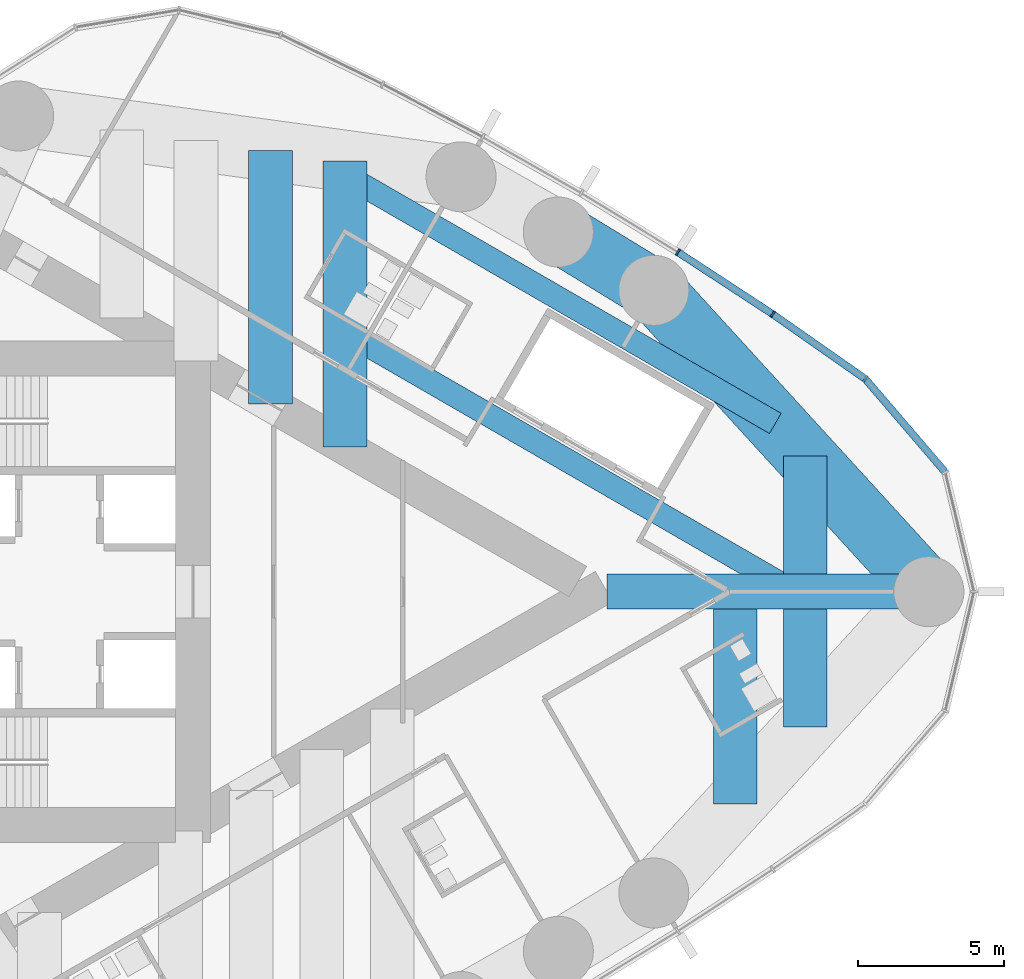
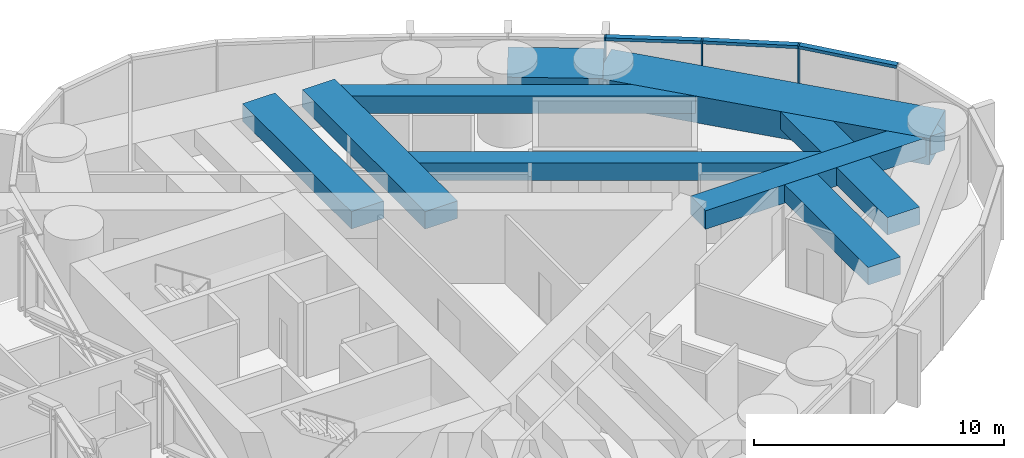
# One storey, part 9 of 22: 10 beams, 6 members, 1 element without a shape of its own.
"""IFC4 building model written with IfcOpenShell, lengths in metres."""

import ifcopenshell
import ifcopenshell.guid

model = None  # the IFC model being written
_history = None  # IfcOwnerHistory: only IFC2X3 demands one
_inside = {}  # id of a spatial element -> (the spatial element, [elements in it])
_under = {}  # id of a project, library or spatial element -> (it, [spatial elements below it])
_declared = {}  # id of a project -> (the project, [libraries it declares])
_typed = {}  # id of a type object -> (the type object, [elements of that type])
_made_of = {}  # id of a material, layer set ... -> (it, [elements and type objects made of it])


def new_model(schema):
    """Start an empty IFC model of exactly this schema.

    Asked for "IFC4X3", IfcOpenShell would pick the latest addendum, in which some entities
    have other attributes; the version numbers below select the first issue.
    IFC2X3 requires an IfcOwnerHistory on every rooted entity: one is made here for all.
    """
    global model, _history
    if schema == "IFC4X3":
        model = ifcopenshell.file(schema_version=(4, 3, 0, 0))
    else:
        model = ifcopenshell.file(schema=schema)
    _inside.clear()
    _under.clear()
    _declared.clear()
    _typed.clear()
    _made_of.clear()
    _history = None
    if model.schema == "IFC2X3":
        org = make("IfcOrganization", Name="unknown")
        user = make(
            "IfcPersonAndOrganization",
            ThePerson=make("IfcPerson", FamilyName="unknown"),
            TheOrganization=org,
        )
        app = make(
            "IfcApplication",
            ApplicationDeveloper=org,
            Version="unknown",
            ApplicationFullName="unknown",
            ApplicationIdentifier="unknown",
        )
        _history = make(
            "IfcOwnerHistory",
            OwningUser=user,
            OwningApplication=app,
            ChangeAction="ADDED",
            CreationDate=0,
        )
    return model


def make(cls, **values):
    """One entity of the class cls with the attributes given. An attribute that is None is left unset."""
    return model.create_entity(
        cls, **{name: value for name, value in values.items() if value is not None}
    )


def rooted(cls, **values):
    """An entity with a GlobalId (a new one), such as an element, a storey or a relation."""
    return make(cls, GlobalId=ifcopenshell.guid.new(), OwnerHistory=_history, **values)


def si_unit(unit_type, name, prefix=None):
    """IfcSIUnit, for example si_unit("LENGTHUNIT", "METRE", prefix="MILLI")."""
    return make("IfcSIUnit", UnitType=unit_type, Prefix=prefix, Name=name)


def assignment(units):
    """IfcUnitAssignment: the units of a project."""
    return None if units is None else make("IfcUnitAssignment", Units=units)


def point(xyz):
    """IfcCartesianPoint."""
    return None if xyz is None else make("IfcCartesianPoint", Coordinates=xyz)


def direction(xyz):
    """IfcDirection."""
    return None if xyz is None else make("IfcDirection", DirectionRatios=xyz)


def frame(location, z_axis=None, x_axis=None):
    """IfcAxis2Placement3D, a coordinate frame: its origin and axes. An axis left out is left unset."""
    return make(
        "IfcAxis2Placement3D",
        Location=point(location),
        Axis=direction(z_axis),
        RefDirection=direction(x_axis),
    )


def frame_2d(location, x_axis=None):
    """IfcAxis2Placement2D, a coordinate frame in the plane: its origin and x axis."""
    return make(
        "IfcAxis2Placement2D", Location=point(location), RefDirection=direction(x_axis)
    )


def origin():
    """The frame at (0, 0, 0) with its axes left unset."""
    return frame((0.0, 0.0, 0.0))


def origin_2d():
    """The frame at (0, 0) in the plane with its x axis left unset."""
    return frame_2d((0.0, 0.0))


def place(relative_to, where):
    """IfcLocalPlacement: puts the frame where relative to a parent placement (None: the world)."""
    return make(
        "IfcLocalPlacement", PlacementRelTo=relative_to, RelativePlacement=where
    )


def context(
    kind, dimensions, precision=None, world=None, true_north=None, identifier=None
):
    """IfcGeometricRepresentationContext, for example the 3D "Model" context."""
    return make(
        "IfcGeometricRepresentationContext",
        ContextIdentifier=identifier,
        ContextType=kind,
        CoordinateSpaceDimension=dimensions,
        Precision=precision,
        WorldCoordinateSystem=world,
        TrueNorth=true_north,
    )


def subcontext(parent, identifier, kind, view, scale=None):
    """IfcGeometricRepresentationSubContext, for example "Body" below "Model"."""
    return make(
        "IfcGeometricRepresentationSubContext",
        ContextIdentifier=identifier,
        ContextType=kind,
        ParentContext=parent,
        TargetScale=scale,
        TargetView=view,
    )


def project(units=None, contexts=None):
    """IfcProject with its units and contexts."""
    return rooted(
        "IfcProject",
        Name="project",
        RepresentationContexts=contexts,
        UnitsInContext=assignment(units),
    )


def spatial(cls, under=None, at=None, **own):
    """A site, building, storey or space (cls), placed at a placement, below another one or the project."""
    s = rooted(cls, ObjectPlacement=at, **own)
    if under is not None:
        _under.setdefault(under.id(), (under, []))[1].append(s)
    return s


def profile(cls, at=None, kind="AREA", **sizes):
    """A parametric profile (cls). Its sizes go by their IFC names, for example OverallWidth=200.0."""
    return make(cls, ProfileType=kind, Position=at, **sizes)


def rectangle(**sizes):
    """IfcRectangleProfileDef."""
    return profile("IfcRectangleProfileDef", **sizes)


def hollow_rectangle(**sizes):
    """IfcRectangleHollowProfileDef."""
    return profile("IfcRectangleHollowProfileDef", **sizes)


def extrude(swept, where, along, depth):
    """IfcExtrudedAreaSolid: the profile swept, set in the frame where, extruded along a direction by depth."""
    return make(
        "IfcExtrudedAreaSolid",
        SweptArea=swept,
        Position=where,
        ExtrudedDirection=direction(along),
        Depth=depth,
    )


def shape(context_of_items, identifier, shape_type, items):
    """IfcShapeRepresentation: the items that make up one representation, for example the "Body"."""
    return make(
        "IfcShapeRepresentation",
        ContextOfItems=context_of_items,
        RepresentationIdentifier=identifier,
        RepresentationType=shape_type,
        Items=items,
    )


def material(Name=None, Category=None):
    """IfcMaterial."""
    return make("IfcMaterial", Name=Name, Category=Category)


def material_profile(
    of_material, cross_section, Name=None, Category=None, Priority=None
):
    """IfcMaterialProfile: a cross section and its material."""
    return make(
        "IfcMaterialProfile",
        Name=Name,
        Material=of_material,
        Profile=cross_section,
        Priority=Priority,
        Category=Category,
    )


def profile_set(profiles, Name=None, composite=None):
    """IfcMaterialProfileSet."""
    return make(
        "IfcMaterialProfileSet",
        Name=Name,
        MaterialProfiles=profiles,
        CompositeProfile=composite,
    )


def made_of(thing, what):
    """Note that an element or type object is made of a material, layer set ...; save() writes the relation."""
    if what is not None:
        _made_of.setdefault(what.id(), (what, []))[1].append(thing)
    return thing


def type_object(cls, material=None, **own):
    """A type object (cls), such as IfcWallType, which elements share."""
    return made_of(rooted(cls, **own), material)


def element(
    cls,
    number,
    at=None,
    inside=None,
    cuts=None,
    type_object=None,
    material=None,
    context=None,
    identifier="Body",
    shape_type=None,
    held_by="IfcProductDefinitionShape",
    body=None,
    shapes=None,
    **own,
):
    """One element of the class cls, such as IfcWall. Its Tag is "e" and its number.

    at: its placement. inside: the storey or other place that contains it. cuts: it is an
    opening in that element (IfcRelVoidsElement). A single representation is given by context,
    identifier, shape_type and body (its items); several are given by shapes. held_by: the class
    of the entity that holds the representations. save() writes the other relations.
    """
    e = rooted(cls, Tag="e%d" % number, ObjectPlacement=at, **own)
    if body is not None:
        shapes = [shape(context, identifier, shape_type, body)]
    if shapes is not None:
        e.Representation = make(held_by, Representations=shapes)
    if inside is not None:
        _inside.setdefault(inside.id(), (inside, []))[1].append(e)
    if cuts is not None:
        rooted(
            "IfcRelVoidsElement", RelatingBuildingElement=cuts, RelatedOpeningElement=e
        )
    if type_object is not None:
        _typed.setdefault(type_object.id(), (type_object, []))[1].append(e)
    return made_of(e, material)


def aggregate(whole, parts):
    """IfcRelAggregates: a whole, such as a stair, and the parts it consists of."""
    return rooted("IfcRelAggregates", RelatingObject=whole, RelatedObjects=parts)


def save(model, path):
    """Write the relations noted so far, then the file.

    IfcRelAggregates (storeys below a building ...), IfcRelContainedInSpatialStructure (elements
    in a storey), IfcRelDefinesByType, IfcRelAssociatesMaterial and IfcRelDeclares: one each for
    every whole, place, type object, material and project.
    """
    for whole, parts in _under.values():
        aggregate(whole, parts)
    for where, things in _inside.values():
        rooted(
            "IfcRelContainedInSpatialStructure",
            RelatedElements=things,
            RelatingStructure=where,
        )
    for kind, things in _typed.values():
        rooted("IfcRelDefinesByType", RelatedObjects=things, RelatingType=kind)
    for what, things in _made_of.values():
        rooted("IfcRelAssociatesMaterial", RelatedObjects=things, RelatingMaterial=what)
    for by, libraries in _declared.values():
        rooted("IfcRelDeclares", RelatingContext=by, RelatedDefinitions=libraries)
    model.write(path)


model = new_model("IFC4")

# Units and contexts
model_context = context("Model", 3, precision=1e-05, world=origin(), true_north=direction((0.0, 1.0)))
body_context = subcontext(model_context, "Body", "Model", "MODEL_VIEW")
ifc_project = project(units=[si_unit("LENGTHUNIT", "METRE"), si_unit("AREAUNIT", "SQUARE_METRE"), si_unit("VOLUMEUNIT", "CUBIC_METRE"), si_unit("PLANEANGLEUNIT", "RADIAN"), si_unit("MASSUNIT", "GRAM", prefix="KILO")], contexts=[model_context])

# Site, building, storey
site_placement = place(None, origin())
site = spatial("IfcSite", under=ifc_project, at=site_placement, CompositionType="ELEMENT")
building_placement = place(site_placement, origin())
building = spatial("IfcBuilding", under=site, at=building_placement, Name="Lancet Gate Hotel", CompositionType="ELEMENT")
storey_placement = place(building_placement, frame((0.0, 0.0, 226.10009765625)))
storey = spatial("IfcBuildingStorey", under=building, at=storey_placement, Name="L60", CompositionType="ELEMENT", Elevation=226.10009765625)

# Curtain wall, members
ifc_material_1 = material(Name="Aluminium curtain wall", Category="aluminium")
curtain_wall_type = type_object("IfcCurtainWallType", Name="Tower unitised curtain wall", PredefinedType="USERDEFINED", material=ifc_material_1)
curtain_wall_placement = place(storey_placement, origin())
curtain_wall = element("IfcCurtainWall", 1, at=curtain_wall_placement, inside=storey, type_object=curtain_wall_type, Name="T2 L60 curtain wall 1", ObjectType="UNITISED CURTAIN WALL", PredefinedType="USERDEFINED")
ifc_material_2 = material(Name="Aluminium mullion", Category="aluminium")
ifc_material_profile_1 = material_profile(ifc_material_2, rectangle(XDim=0.06494140625, YDim=0.25, at=origin_2d()), Name="MULLION 65x250")
ifc_profile_set_1 = profile_set([ifc_material_profile_1], Name="Aluminium mullion")
member_type_1 = type_object("IfcMemberType", Name="Aluminium mullion 65x250", PredefinedType="MULLION", material=ifc_profile_set_1)
member_1_placement = place(storey_placement, frame((60.367431640625, 7.291259765625, 0.0), z_axis=(0.0, 0.0, 1.0), x_axis=(-0.737323173512, 0.675540182226, 0.0)))
member_1 = element("IfcMember", 2, at=member_1_placement, type_object=member_type_1, Name="T2 L60 curtain wall 1 mullion 16", PredefinedType="MULLION", context=body_context, shape_type="SweptSolid", body=[
    extrude(rectangle(XDim=0.06494140625, YDim=0.25, at=origin_2d()), origin(), (0.0, 0.0, 1.0), 3.599853515625),
])
member_2_placement = place(storey_placement, frame((57.185791015625, 9.518310546875, 0.0), z_axis=(0.0, 0.0, 1.0), x_axis=(-0.828154697184, 0.560499596371, 0.0)))
member_2 = element("IfcMember", 3, at=member_2_placement, type_object=member_type_1, Name="T2 L60 curtain wall 1 mullion 17", PredefinedType="MULLION", context=body_context, shape_type="SweptSolid", body=[
    extrude(rectangle(XDim=0.06494140625, YDim=0.25, at=origin_2d()), origin(), (0.0, 0.0, 1.0), 3.599853515625),
])
member_3_placement = place(storey_placement, frame((53.935791015625, 11.644287109375, 0.0), z_axis=(0.0, 0.0, 1.0), x_axis=(-0.845339753513, 0.534229071777, 0.0)))
member_3 = element("IfcMember", 4, at=member_3_placement, type_object=member_type_1, Name="T2 L60 curtain wall 1 mullion 18", PredefinedType="MULLION", context=body_context, shape_type="SweptSolid", body=[
    extrude(rectangle(XDim=0.06494140625, YDim=0.25, at=origin_2d()), origin(), (0.0, 0.0, 1.0), 3.599853515625),
])
ifc_material_3 = material(Name="Aluminium transom", Category="aluminium")
ifc_material_profile_2 = material_profile(ifc_material_3, rectangle(XDim=0.25, YDim=0.14990234375, at=origin_2d()), Name="TRANSOM 250x150")
ifc_profile_set_2 = profile_set([ifc_material_profile_2], Name="Aluminium transom")
member_type_2 = type_object("IfcMemberType", Name="Aluminium transom 250x150", PredefinedType="USERDEFINED", material=ifc_profile_set_2)
member_4_placement = place(storey_placement, frame((63.08544921875, 4.118408203125, 3.52490234375), z_axis=(-0.650592500186, 0.759427019997, 0.0), x_axis=(-0.759427019997, -0.650592500186, 0.0)))
member_4 = element("IfcMember", 5, at=member_4_placement, type_object=member_type_2, Name="T2 L60 curtain wall 1 transom 15", ObjectType="TRANSOM", PredefinedType="USERDEFINED", context=body_context, shape_type="SweptSolid", body=[
    extrude(rectangle(XDim=0.25, YDim=0.14990234375, at=origin_2d()), origin(), (0.0, 0.0, 1.0), 4.1455078125),
])
member_5_placement = place(storey_placement, frame((60.3408203125, 7.31005859375, 3.52490234375), z_axis=(-0.819255948852, 0.573428016642, 0.0), x_axis=(-0.573428016642, -0.819255948852, 0.0)))
member_5 = element("IfcMember", 6, at=member_5_placement, type_object=member_type_2, Name="T2 L60 curtain wall 1 transom 16", ObjectType="TRANSOM", PredefinedType="USERDEFINED", context=body_context, shape_type="SweptSolid", body=[
    extrude(rectangle(XDim=0.25, YDim=0.14990234375, at=origin_2d()), origin(), (0.0, 0.0, 1.0), 3.818603515625),
])
member_6_placement = place(storey_placement, frame((57.158447265625, 9.5361328125, 3.52490234375), z_axis=(-0.836858089593, 0.547419891749, 0.0), x_axis=(-0.547419891749, -0.836858089593, 0.0)))
member_6 = element("IfcMember", 7, at=member_6_placement, type_object=member_type_2, Name="T2 L60 curtain wall 1 transom 17", ObjectType="TRANSOM", PredefinedType="USERDEFINED", context=body_context, shape_type="SweptSolid", body=[
    extrude(rectangle(XDim=0.25, YDim=0.14990234375, at=origin_2d()), origin(), (0.0, 0.0, 1.0), 3.818603515625),
])
aggregate(curtain_wall, [member_1, member_2, member_3, member_4, member_5, member_6])

# Beams
ifc_material_4 = material(Name="Concrete C50/60", Category="concrete")
ifc_material_profile_3 = material_profile(ifc_material_4, rectangle(XDim=2.10009765625, YDim=1.300048828125, at=origin_2d()), Name="RC 2100x1300")
ifc_profile_set_3 = profile_set([ifc_material_profile_3], Name="Concrete C50/60")
beam_type_1 = type_object("IfcBeamType", Name="Edge beam RC 2100x1300", PredefinedType="SPANDREL", material=ifc_profile_set_3)
beam_1_placement = place(storey_placement, frame((62.54150390625, 0.0, 2.699951171875), z_axis=(-0.674209372947, 0.738540263919, 0.0), x_axis=(-0.738540263919, -0.674209372947, 0.0)))
element("IfcBeam", 8, at=beam_1_placement, inside=storey, type_object=beam_type_1, Name="T2 edge beam EB1 L60", PredefinedType="SPANDREL", context=body_context, shape_type="SweptSolid", body=[
    extrude(rectangle(XDim=2.10009765625, YDim=1.300048828125, at=origin_2d()), origin(), (0.0, 0.0, 1.0), 13.992431640625),
])
beam_2_placement = place(storey_placement, frame((53.107666015625, 10.333984375, 2.699951171875), z_axis=(-0.853604257265, 0.520922040212, 0.0), x_axis=(-0.520922040212, -0.853604257265, 0.0)))
element("IfcBeam", 9, at=beam_2_placement, inside=storey, type_object=beam_type_1, Name="T2 edge beam EB1 L60", PredefinedType="SPANDREL", context=body_context, shape_type="SweptSolid", body=[
    extrude(rectangle(XDim=2.10009765625, YDim=1.300048828125, at=origin_2d()), origin(), (0.0, 0.0, 1.0), 3.835205078125),
])
ifc_material_5 = material(Name="Concrete C50/60", Category="concrete")
ifc_material_profile_4 = material_profile(ifc_material_5, rectangle(XDim=1.5, YDim=0.85009765625, at=origin_2d()), Name="RC 1500x850")
ifc_profile_set_4 = profile_set([ifc_material_profile_4], Name="Concrete C50/60")
beam_type_2 = type_object("IfcBeamType", Name="Floor beam RC 1500x850", PredefinedType="BEAM", material=ifc_profile_set_4)
beam_3_placement = place(storey_placement, frame((39.9658203125, 6.429443359375, 2.9248046875), z_axis=(0.0, 1.0, 0.0), x_axis=(-1.0, 0.0, 0.0)))
element("IfcBeam", 10, at=beam_3_placement, inside=storey, type_object=beam_type_2, Name="T2 floor beam F06N L60", PredefinedType="BEAM", context=body_context, shape_type="SweptSolid", body=[
    extrude(rectangle(XDim=1.5, YDim=0.85009765625, at=origin_2d()), origin(), (0.0, 0.0, 1.0), 8.694091796875),
])
beam_4_placement = place(storey_placement, frame((42.51904296875, 4.95556640625, 2.9248046875), z_axis=(0.0, 1.0, 0.0), x_axis=(-1.0, 0.0, 0.0)))
element("IfcBeam", 11, at=beam_4_placement, inside=storey, type_object=beam_type_2, Name="T2 floor beam F08N L60", PredefinedType="BEAM", context=body_context, shape_type="SweptSolid", body=[
    extrude(rectangle(XDim=1.5, YDim=0.85009765625, at=origin_2d()), origin(), (0.0, 0.0, 1.0), 9.817138671875),
])
beam_5_placement = place(storey_placement, frame((55.90234375, -7.272705078125, 2.9248046875), z_axis=(0.0, 1.0, 0.0), x_axis=(-1.0, 0.0, 0.0)))
element("IfcBeam", 12, at=beam_5_placement, inside=storey, type_object=beam_type_2, Name="T2 floor beam F10S L60", PredefinedType="BEAM", context=body_context, shape_type="SweptSolid", body=[
    extrude(rectangle(XDim=1.5, YDim=0.85009765625, at=origin_2d()), origin(), (0.0, 0.0, 1.0), 6.672607421875),
])
for number, where, z_axis, x_axis, name in (
    (13, (58.30224609375, -4.643798828125, 2.9248046875), (0.0, 1.0, 0.0), (-1.0, 0.0, 0.0), "T2 floor beam F12S L60"),
    (14, (58.30224609375, 0.60009765625, 2.9248046875), (0.0, 1.0, 0.0), (-1.0, 0.0, 0.0), "T2 floor beam F13N L60"),
):
    element("IfcBeam", number, at=place(storey_placement, frame(where, z_axis=z_axis, x_axis=x_axis)), inside=storey, type_object=beam_type_2, Name=name, PredefinedType="BEAM", context=body_context, shape_type="SweptSolid", body=[
        extrude(rectangle(XDim=1.5, YDim=0.85009765625, at=origin_2d()), origin(), (0.0, 0.0, 1.0), 4.043701171875),
    ])
ifc_material_6 = material(Name="Concrete C50/60", Category="concrete")
ifc_material_profile_5 = material_profile(ifc_material_6, rectangle(XDim=1.199951171875, YDim=0.89990234375, at=origin_2d()), Name="RC 1200x900")
ifc_profile_set_5 = profile_set([ifc_material_profile_5], Name="Concrete C50/60")
beam_type_3 = type_object("IfcBeamType", Name="Radial floor beam RC 1200x900", PredefinedType="BEAM", material=ifc_profile_set_5)
beam_6_placement = place(storey_placement, frame((62.54150390625, 0.0, 2.89990234375), z_axis=(-1.0, 0.0, 0.0), x_axis=(0.0, -1.0, 0.0)))
element("IfcBeam", 15, at=beam_6_placement, inside=storey, type_object=beam_type_3, Name="T2 radial beam CA L60", PredefinedType="BEAM", context=body_context, shape_type="SweptSolid", body=[
    extrude(rectangle(XDim=1.199951171875, YDim=0.89990234375, at=origin_2d()), origin(), (0.0, 0.0, 1.0), 11.039306640625),
])
ifc_material_7 = material(Name="Steel S460QL", Category="steel")
ifc_material_profile_6 = material_profile(ifc_material_7, hollow_rectangle(XDim=0.800048828125, YDim=0.85009765625, WallThickness=0.080078125, at=origin_2d()), Name="BOX 850x800x80")
ifc_profile_set_6 = profile_set([ifc_material_profile_6], Name="Steel S460QL")
beam_type_4 = type_object("IfcBeamType", Name="Trimmer beam BOX 850x800x80", PredefinedType="BEAM", material=ifc_profile_set_6)
beam_7_placement = place(storey_placement, frame((42.51904296875, 14.289794921875, 2.9248046875), z_axis=(0.865991109766, -0.500059394279, 0.0), x_axis=(0.500059394279, 0.865991109766, 0.0)))
element("IfcBeam", 16, at=beam_7_placement, inside=storey, type_object=beam_type_4, Name="T2 trimmer beam TR01N L60", PredefinedType="BEAM", context=body_context, shape_type="SweptSolid", body=[
    extrude(hollow_rectangle(XDim=0.800048828125, YDim=0.85009765625, WallThickness=0.080078125, at=origin_2d()), origin(), (0.0, 0.0, 1.0), 17.0390625),
])
beam_8_placement = place(storey_placement, frame((42.51904296875, 8.90185546875, 2.9248046875), z_axis=(0.865994419471, -0.500053662566, 0.0), x_axis=(0.500053662566, 0.865994419471, 0.0)))
element("IfcBeam", 17, at=beam_8_placement, inside=storey, type_object=beam_type_4, Name="T2 trimmer beam TR02N L60", PredefinedType="BEAM", context=body_context, shape_type="SweptSolid", body=[
    extrude(hollow_rectangle(XDim=0.800048828125, YDim=0.85009765625, WallThickness=0.080078125, at=origin_2d()), origin(), (0.0, 0.0, 1.0), 17.8017578125),
])

save(model, "model.ifc")
